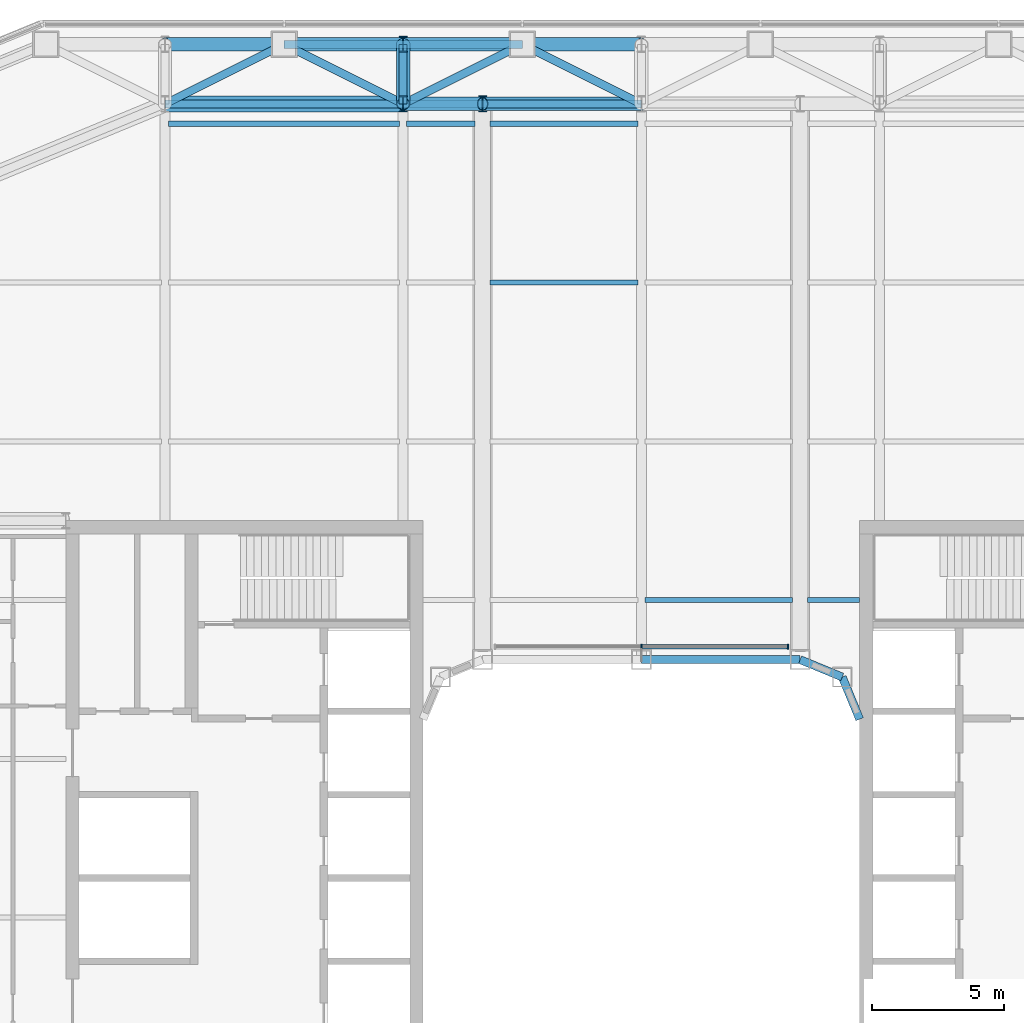
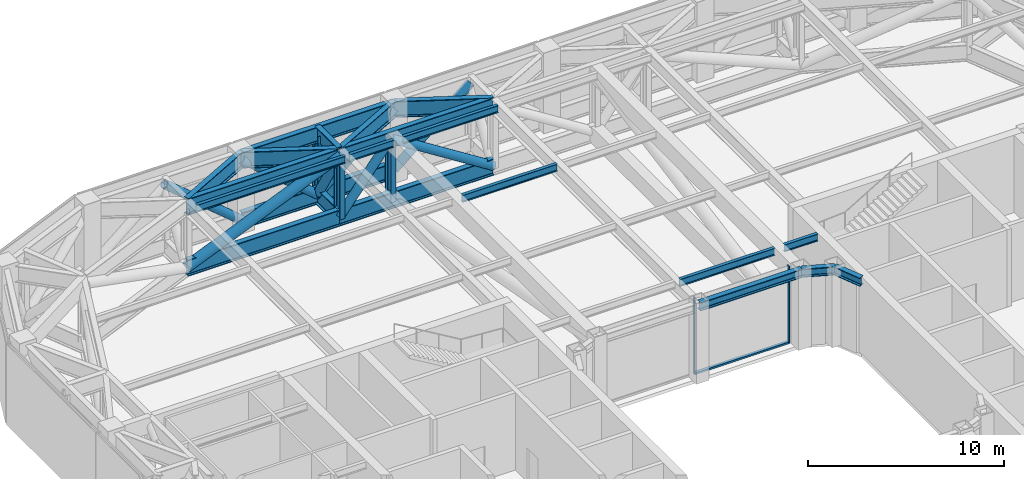
# One storey, part 10 of 33: 21 beams, 14 members, 1 element without a shape of its own.
"""IFC4 building model written with IfcOpenShell, lengths in metres."""

import ifcopenshell
import ifcopenshell.guid

model = None  # the IFC model being written
_history = None  # IfcOwnerHistory: only IFC2X3 demands one
_inside = {}  # id of a spatial element -> (the spatial element, [elements in it])
_under = {}  # id of a project, library or spatial element -> (it, [spatial elements below it])
_declared = {}  # id of a project -> (the project, [libraries it declares])
_typed = {}  # id of a type object -> (the type object, [elements of that type])
_made_of = {}  # id of a material, layer set ... -> (it, [elements and type objects made of it])


def new_model(schema):
    """Start an empty IFC model of exactly this schema.

    Asked for "IFC4X3", IfcOpenShell would pick the latest addendum, in which some entities
    have other attributes; the version numbers below select the first issue.
    IFC2X3 requires an IfcOwnerHistory on every rooted entity: one is made here for all.
    """
    global model, _history
    if schema == "IFC4X3":
        model = ifcopenshell.file(schema_version=(4, 3, 0, 0))
    else:
        model = ifcopenshell.file(schema=schema)
    _inside.clear()
    _under.clear()
    _declared.clear()
    _typed.clear()
    _made_of.clear()
    _history = None
    if model.schema == "IFC2X3":
        org = make("IfcOrganization", Name="unknown")
        user = make(
            "IfcPersonAndOrganization",
            ThePerson=make("IfcPerson", FamilyName="unknown"),
            TheOrganization=org,
        )
        app = make(
            "IfcApplication",
            ApplicationDeveloper=org,
            Version="unknown",
            ApplicationFullName="unknown",
            ApplicationIdentifier="unknown",
        )
        _history = make(
            "IfcOwnerHistory",
            OwningUser=user,
            OwningApplication=app,
            ChangeAction="ADDED",
            CreationDate=0,
        )
    return model


def make(cls, **values):
    """One entity of the class cls with the attributes given. An attribute that is None is left unset."""
    return model.create_entity(
        cls, **{name: value for name, value in values.items() if value is not None}
    )


def rooted(cls, **values):
    """An entity with a GlobalId (a new one), such as an element, a storey or a relation."""
    return make(cls, GlobalId=ifcopenshell.guid.new(), OwnerHistory=_history, **values)


def si_unit(unit_type, name, prefix=None):
    """IfcSIUnit, for example si_unit("LENGTHUNIT", "METRE", prefix="MILLI")."""
    return make("IfcSIUnit", UnitType=unit_type, Prefix=prefix, Name=name)


def assignment(units):
    """IfcUnitAssignment: the units of a project."""
    return None if units is None else make("IfcUnitAssignment", Units=units)


def point(xyz):
    """IfcCartesianPoint."""
    return None if xyz is None else make("IfcCartesianPoint", Coordinates=xyz)


def direction(xyz):
    """IfcDirection."""
    return None if xyz is None else make("IfcDirection", DirectionRatios=xyz)


def frame(location, z_axis=None, x_axis=None):
    """IfcAxis2Placement3D, a coordinate frame: its origin and axes. An axis left out is left unset."""
    return make(
        "IfcAxis2Placement3D",
        Location=point(location),
        Axis=direction(z_axis),
        RefDirection=direction(x_axis),
    )


def frame_2d(location, x_axis=None):
    """IfcAxis2Placement2D, a coordinate frame in the plane: its origin and x axis."""
    return make(
        "IfcAxis2Placement2D", Location=point(location), RefDirection=direction(x_axis)
    )


def origin():
    """The frame at (0, 0, 0) with its axes left unset."""
    return frame((0.0, 0.0, 0.0))


def origin_2d():
    """The frame at (0, 0) in the plane with its x axis left unset."""
    return frame_2d((0.0, 0.0))


def place(relative_to, where):
    """IfcLocalPlacement: puts the frame where relative to a parent placement (None: the world)."""
    return make(
        "IfcLocalPlacement", PlacementRelTo=relative_to, RelativePlacement=where
    )


def context(
    kind, dimensions, precision=None, world=None, true_north=None, identifier=None
):
    """IfcGeometricRepresentationContext, for example the 3D "Model" context."""
    return make(
        "IfcGeometricRepresentationContext",
        ContextIdentifier=identifier,
        ContextType=kind,
        CoordinateSpaceDimension=dimensions,
        Precision=precision,
        WorldCoordinateSystem=world,
        TrueNorth=true_north,
    )


def subcontext(parent, identifier, kind, view, scale=None):
    """IfcGeometricRepresentationSubContext, for example "Body" below "Model"."""
    return make(
        "IfcGeometricRepresentationSubContext",
        ContextIdentifier=identifier,
        ContextType=kind,
        ParentContext=parent,
        TargetScale=scale,
        TargetView=view,
    )


def project(units=None, contexts=None):
    """IfcProject with its units and contexts."""
    return rooted(
        "IfcProject",
        Name="project",
        RepresentationContexts=contexts,
        UnitsInContext=assignment(units),
    )


def spatial(cls, under=None, at=None, **own):
    """A site, building, storey or space (cls), placed at a placement, below another one or the project."""
    s = rooted(cls, ObjectPlacement=at, **own)
    if under is not None:
        _under.setdefault(under.id(), (under, []))[1].append(s)
    return s


def profile(cls, at=None, kind="AREA", **sizes):
    """A parametric profile (cls). Its sizes go by their IFC names, for example OverallWidth=200.0."""
    return make(cls, ProfileType=kind, Position=at, **sizes)


def rectangle(**sizes):
    """IfcRectangleProfileDef."""
    return profile("IfcRectangleProfileDef", **sizes)


def hollow_circle(**sizes):
    """IfcCircleHollowProfileDef."""
    return profile("IfcCircleHollowProfileDef", **sizes)


def i_section(**sizes):
    """IfcIShapeProfileDef."""
    return profile("IfcIShapeProfileDef", **sizes)


def extrude(swept, where, along, depth):
    """IfcExtrudedAreaSolid: the profile swept, set in the frame where, extruded along a direction by depth."""
    return make(
        "IfcExtrudedAreaSolid",
        SweptArea=swept,
        Position=where,
        ExtrudedDirection=direction(along),
        Depth=depth,
    )


def shape(context_of_items, identifier, shape_type, items):
    """IfcShapeRepresentation: the items that make up one representation, for example the "Body"."""
    return make(
        "IfcShapeRepresentation",
        ContextOfItems=context_of_items,
        RepresentationIdentifier=identifier,
        RepresentationType=shape_type,
        Items=items,
    )


def material(Name=None, Category=None):
    """IfcMaterial."""
    return make("IfcMaterial", Name=Name, Category=Category)


def layer(
    of_material, thickness, ventilated=None, Name=None, Category=None, Priority=None
):
    """IfcMaterialLayer: one layer of a wall or slab, of a material (None: an air gap)."""
    return make(
        "IfcMaterialLayer",
        Material=of_material,
        LayerThickness=thickness,
        IsVentilated=ventilated,
        Name=Name,
        Category=Category,
        Priority=Priority,
    )


def layer_set(layers, Name=None):
    """IfcMaterialLayerSet."""
    return make("IfcMaterialLayerSet", MaterialLayers=layers, LayerSetName=Name)


def material_profile(
    of_material, cross_section, Name=None, Category=None, Priority=None
):
    """IfcMaterialProfile: a cross section and its material."""
    return make(
        "IfcMaterialProfile",
        Name=Name,
        Material=of_material,
        Profile=cross_section,
        Priority=Priority,
        Category=Category,
    )


def profile_set(profiles, Name=None, composite=None):
    """IfcMaterialProfileSet."""
    return make(
        "IfcMaterialProfileSet",
        Name=Name,
        MaterialProfiles=profiles,
        CompositeProfile=composite,
    )


def made_of(thing, what):
    """Note that an element or type object is made of a material, layer set ...; save() writes the relation."""
    if what is not None:
        _made_of.setdefault(what.id(), (what, []))[1].append(thing)
    return thing


def type_object(cls, material=None, **own):
    """A type object (cls), such as IfcWallType, which elements share."""
    return made_of(rooted(cls, **own), material)


def element(
    cls,
    number,
    at=None,
    inside=None,
    cuts=None,
    type_object=None,
    material=None,
    context=None,
    identifier="Body",
    shape_type=None,
    held_by="IfcProductDefinitionShape",
    body=None,
    shapes=None,
    **own,
):
    """One element of the class cls, such as IfcWall. Its Tag is "e" and its number.

    at: its placement. inside: the storey or other place that contains it. cuts: it is an
    opening in that element (IfcRelVoidsElement). A single representation is given by context,
    identifier, shape_type and body (its items); several are given by shapes. held_by: the class
    of the entity that holds the representations. save() writes the other relations.
    """
    e = rooted(cls, Tag="e%d" % number, ObjectPlacement=at, **own)
    if body is not None:
        shapes = [shape(context, identifier, shape_type, body)]
    if shapes is not None:
        e.Representation = make(held_by, Representations=shapes)
    if inside is not None:
        _inside.setdefault(inside.id(), (inside, []))[1].append(e)
    if cuts is not None:
        rooted(
            "IfcRelVoidsElement", RelatingBuildingElement=cuts, RelatedOpeningElement=e
        )
    if type_object is not None:
        _typed.setdefault(type_object.id(), (type_object, []))[1].append(e)
    return made_of(e, material)


def aggregate(whole, parts):
    """IfcRelAggregates: a whole, such as a stair, and the parts it consists of."""
    return rooted("IfcRelAggregates", RelatingObject=whole, RelatedObjects=parts)


def save(model, path):
    """Write the relations noted so far, then the file.

    IfcRelAggregates (storeys below a building ...), IfcRelContainedInSpatialStructure (elements
    in a storey), IfcRelDefinesByType, IfcRelAssociatesMaterial and IfcRelDeclares: one each for
    every whole, place, type object, material and project.
    """
    for whole, parts in _under.values():
        aggregate(whole, parts)
    for where, things in _inside.values():
        rooted(
            "IfcRelContainedInSpatialStructure",
            RelatedElements=things,
            RelatingStructure=where,
        )
    for kind, things in _typed.values():
        rooted("IfcRelDefinesByType", RelatedObjects=things, RelatingType=kind)
    for what, things in _made_of.values():
        rooted("IfcRelAssociatesMaterial", RelatedObjects=things, RelatingMaterial=what)
    for by, libraries in _declared.values():
        rooted("IfcRelDeclares", RelatingContext=by, RelatedDefinitions=libraries)
    model.write(path)


model = new_model("IFC4")

# Units and contexts
model_context = context("Model", 3, precision=1e-05, world=origin(), true_north=direction((0.0, 1.0)))
body_context = subcontext(model_context, "Body", "Model", "MODEL_VIEW")
ifc_project = project(units=[si_unit("LENGTHUNIT", "METRE"), si_unit("AREAUNIT", "SQUARE_METRE"), si_unit("VOLUMEUNIT", "CUBIC_METRE"), si_unit("PLANEANGLEUNIT", "RADIAN"), si_unit("MASSUNIT", "GRAM", prefix="KILO")], contexts=[model_context])

# Site, building, storey
site_placement = place(None, origin())
site = spatial("IfcSite", under=ifc_project, at=site_placement, CompositionType="ELEMENT")
building_placement = place(site_placement, origin())
building = spatial("IfcBuilding", under=site, at=building_placement, Name="Siwar Civic Tower", CompositionType="ELEMENT")
storey_placement = place(building_placement, frame((0.0, 0.0, 94.199951171875)))
storey = spatial("IfcBuildingStorey", under=building, at=storey_placement, Name="L20", CompositionType="ELEMENT", Elevation=94.199951171875)

# Curtain wall, members
ifc_material_1 = material(Name="Aluminium and glass", Category="aluminium")
ifc_layer = layer(ifc_material_1, 0.179931640625)
ifc_layer_set = layer_set([ifc_layer], Name="Aluminium and glass")
curtain_wall_type = type_object("IfcCurtainWallType", Name="ENV-CW-W", PredefinedType="NOTDEFINED", material=ifc_layer_set)
curtain_wall_placement = place(storey_placement, origin())
curtain_wall = element("IfcCurtainWall", 1, at=curtain_wall_placement, inside=storey, type_object=curtain_wall_type, Name="Curtain wall W WN-00", PredefinedType="NOTDEFINED")
ifc_material_2 = material(Name="Aluminium 6063-T6", Category="aluminium")
ifc_material_profile_1 = material_profile(ifc_material_2, rectangle(XDim=0.179931640625, YDim=0.06005859375, at=origin_2d()), Name="AL 180x60")
ifc_profile_set_1 = profile_set([ifc_material_profile_1], Name="Aluminium 6063-T6")
member_type_1 = type_object("IfcMemberType", Name="ENV-MULLION-W", PredefinedType="MULLION", material=ifc_profile_set_1)
member_1_placement = place(storey_placement, frame((5.534423828125, 8.735107421875, 0.0), z_axis=(0.0, 0.0, 1.0), x_axis=(0.0, -1.0, 0.0)))
member_1 = element("IfcMember", 2, at=member_1_placement, type_object=member_type_1, Name="Mullion W WN-00 1", PredefinedType="MULLION", context=body_context, shape_type="SweptSolid", body=[
    extrude(rectangle(XDim=0.179931640625, YDim=0.06005859375, at=origin_2d()), origin(), (0.0, 0.0, 1.0), 4.800048828125),
])
member_2_placement = place(storey_placement, frame((0.0, 8.735107421875, 0.0), z_axis=(0.0, 0.0, 1.0), x_axis=(0.0, -1.0, 0.0)))
member_2 = element("IfcMember", 3, at=member_2_placement, type_object=member_type_1, Name="Mullion W WN-00 2", PredefinedType="MULLION", context=body_context, shape_type="SweptSolid", body=[
    extrude(rectangle(XDim=0.179931640625, YDim=0.06005859375, at=origin_2d()), origin(), (0.0, 0.0, 1.0), 4.800048828125),
])
ifc_material_3 = material(Name="Aluminium 6063-T6", Category="aluminium")
ifc_material_profile_2 = material_profile(ifc_material_3, rectangle(XDim=0.179931640625, YDim=0.10009765625, at=origin_2d()), Name="AL 180x100")
ifc_profile_set_2 = profile_set([ifc_material_profile_2], Name="Aluminium 6063-T6")
member_type_2 = type_object("IfcMemberType", Name="ENV-TRANSOM-W", PredefinedType="USERDEFINED", material=ifc_profile_set_2)
member_3_placement = place(storey_placement, frame((5.50439453125, 8.735107421875, 0.050048828125), z_axis=(-1.0, 0.0, 0.0), x_axis=(0.0, -1.0, 0.0)))
member_3 = element("IfcMember", 4, at=member_3_placement, type_object=member_type_2, Name="Transom W WN-00 1", ObjectType="TRANSOM", PredefinedType="USERDEFINED", context=body_context, shape_type="SweptSolid", body=[
    extrude(rectangle(XDim=0.179931640625, YDim=0.10009765625, at=origin_2d()), origin(), (0.0, 0.0, 1.0), 5.474365234375),
])
aggregate(curtain_wall, [member_1, member_2, member_3])

# Beams
ifc_material_4 = material(Name="Steel S460", Category="steel")
ifc_material_profile_3 = material_profile(ifc_material_4, i_section(OverallWidth=0.302001953125, OverallDepth=1.008056640625, WebThickness=0.02099609375, FlangeThickness=0.0400390625, FilletRadius=0.030029296875, at=origin_2d()), Name="HEM1000")
ifc_profile_set_3 = profile_set([ifc_material_profile_3], Name="Steel S460")
beam_type_1 = type_object("IfcBeamType", Name="STR-BELT-TRUSS-CHORD-HEM1000", PredefinedType="BEAM", material=ifc_profile_set_3)
for number, where, z_axis, x_axis, name in (
    (5, (0.0, 29.25, 0.504150390625), (-1.0, 0.0, 0.0), (0.0, -1.0, 0.0), "Belt truss chord"),
    (6, (0.0, 29.25, 4.296142578125), (-1.0, 0.0, 0.0), (0.0, -1.0, 0.0), "Belt truss chord"),
    (7, (-9.0, 29.25, 0.504150390625), (-1.0, 0.0, 0.0), (0.0, -1.0, 0.0), "Belt truss chord"),
    (8, (-9.0, 29.25, 4.296142578125), (-1.0, 0.0, 0.0), (0.0, -1.0, 0.0), "Belt truss chord"),
    (9, (-4.5, 31.5, 0.504150390625), (-1.0, 0.0, 0.0), (0.0, -1.0, 0.0), "Belt truss chord"),
    (10, (-4.5, 31.5, 4.296142578125), (-1.0, 0.0, 0.0), (0.0, -1.0, 0.0), "Belt truss chord"),
):
    element("IfcBeam", number, at=place(storey_placement, frame(where, z_axis=z_axis, x_axis=x_axis)), inside=storey, type_object=beam_type_1, Name=name, PredefinedType="BEAM", context=body_context, shape_type="SweptSolid", body=[
        extrude(i_section(OverallWidth=0.302001953125, OverallDepth=1.008056640625, WebThickness=0.02099609375, FlangeThickness=0.0400390625, FilletRadius=0.030029296875, at=origin_2d()), origin(), (0.0, 0.0, 1.0), 9.0),
    ])

# Members
ifc_material_5 = material(Name="Steel S355", Category="steel")
ifc_material_profile_4 = material_profile(ifc_material_5, hollow_circle(Radius=0.25390625, WallThickness=0.02490234375, at=origin_2d()), Name="CHS508x25")
ifc_profile_set_4 = profile_set([ifc_material_profile_4], Name="Steel S355")
member_type_3 = type_object("IfcMemberType", Name="STR-BELT-TRUSS-DIAGONAL-CHS508x25", PredefinedType="BRACE", material=ifc_profile_set_4)
member_4_placement = place(storey_placement, frame((0.004150390625, 29.25, 0.50146484375), z_axis=(-0.845320722688, 0.0, 0.534259184099), x_axis=(0.0, -1.0, 0.0)))
element("IfcMember", 11, at=member_4_placement, inside=storey, type_object=member_type_3, Name="Belt truss diagonal", PredefinedType="BRACE", context=body_context, shape_type="SweptSolid", body=[
    extrude(hollow_circle(Radius=0.25390625, WallThickness=0.02490234375, at=origin_2d()), origin(), (0.0, 0.0, 1.0), 7.107666015625),
])
member_5_placement = place(storey_placement, frame((-9.003173828125, 29.25, 0.500244140625), z_axis=(0.620470608021, 0.0, 0.784229701416), x_axis=(0.0, 1.0, 0.0)))
element("IfcMember", 12, at=member_5_placement, inside=storey, type_object=member_type_3, Name="Belt truss diagonal", PredefinedType="BRACE", context=body_context, shape_type="SweptSolid", body=[
    extrude(hollow_circle(Radius=0.25390625, WallThickness=0.02490234375, at=origin_2d()), origin(), (0.0, 0.0, 1.0), 4.84521484375),
])
for number, where, z_axis, x_axis, name in (
    (13, (-4.50390625, 31.5, 0.500732421875), (0.764699580999, 0.0, 0.644386957364), (0.0, 1.0, 0.0), "Belt truss diagonal"),
    (14, (-9.00390625, 31.5, 0.500732421875), (0.764699580999, 0.0, 0.644386957364), (0.0, 1.0, 0.0), "Belt truss diagonal"),
    (15, (-8.99609375, 31.5, 0.500732421875), (-0.764699580999, 0.0, 0.644386957364), (0.0, -1.0, 0.0), "Belt truss diagonal"),
    (16, (-13.49609375, 31.5, 0.500732421875), (-0.764699580999, 0.0, 0.644386957364), (0.0, -1.0, 0.0), "Belt truss diagonal"),
):
    element("IfcMember", number, at=place(storey_placement, frame(where, z_axis=z_axis, x_axis=x_axis)), inside=storey, type_object=member_type_3, Name=name, PredefinedType="BRACE", context=body_context, shape_type="SweptSolid", body=[
        extrude(hollow_circle(Radius=0.25390625, WallThickness=0.02490234375, at=origin_2d()), origin(), (0.0, 0.0, 1.0), 5.894775390625),
    ])
member_6_placement = place(storey_placement, frame((-9.0, 31.50244140625, 0.499755859375), z_axis=(0.0, -0.510256630496, 0.860022192176), x_axis=(1.0, 0.0, 0.0)))
element("IfcMember", 17, at=member_6_placement, inside=storey, type_object=member_type_3, Name="Belt truss diagonal", PredefinedType="BRACE", context=body_context, shape_type="SweptSolid", body=[
    extrude(hollow_circle(Radius=0.25390625, WallThickness=0.02490234375, at=origin_2d()), origin(), (0.0, 0.0, 1.0), 4.419189453125),
])
ifc_material_6 = material(Name="Steel S355", Category="steel")
ifc_material_profile_5 = material_profile(ifc_material_6, hollow_circle(Radius=0.304931640625, WallThickness=0.030029296875, at=origin_2d()), Name="CHS610x30")
ifc_profile_set_5 = profile_set([ifc_material_profile_5], Name="Steel S355")
member_type_4 = type_object("IfcMemberType", Name="STR-BELT-TRUSS-DIAGONAL-CHS610x30", PredefinedType="BRACE", material=ifc_profile_set_5)
member_7_placement = place(storey_placement, frame((-18.004638671875, 29.25, 0.502197265625), z_axis=(0.921543214524, 0.0, 0.388275808884), x_axis=(0.0, 1.0, 0.0)))
element("IfcMember", 18, at=member_7_placement, inside=storey, type_object=member_type_4, Name="Belt truss diagonal", PredefinedType="BRACE", context=body_context, shape_type="SweptSolid", body=[
    extrude(hollow_circle(Radius=0.304931640625, WallThickness=0.030029296875, at=origin_2d()), origin(), (0.0, 0.0, 1.0), 9.7763671875),
])

# Beams
ifc_material_7 = material(Name="Steel S460", Category="steel")
ifc_material_profile_6 = material_profile(ifc_material_7, i_section(OverallWidth=0.302001953125, OverallDepth=1.008056640625, WebThickness=0.02099609375, FlangeThickness=0.0400390625, FilletRadius=0.030029296875, at=origin_2d()), Name="HEM1000")
ifc_profile_set_6 = profile_set([ifc_material_profile_6], Name="Steel S460")
beam_type_2 = type_object("IfcBeamType", Name="STR-BELT-TRUSS-LADDER-CHORD-HEM1000", PredefinedType="BEAM", material=ifc_profile_set_6)
for number, where, z_axis, x_axis, name in (
    (19, (-9.0, 29.25, 0.504150390625), (0.0, 1.0, 0.0), (-1.0, 0.0, 0.0), "Belt truss ladder chord"),
    (20, (-9.0, 29.25, 4.296142578125), (0.0, 1.0, 0.0), (-1.0, 0.0, 0.0), "Belt truss ladder chord"),
):
    element("IfcBeam", number, at=place(storey_placement, frame(where, z_axis=z_axis, x_axis=x_axis)), inside=storey, type_object=beam_type_2, Name=name, PredefinedType="BEAM", context=body_context, shape_type="SweptSolid", body=[
        extrude(i_section(OverallWidth=0.302001953125, OverallDepth=1.008056640625, WebThickness=0.02099609375, FlangeThickness=0.0400390625, FilletRadius=0.030029296875, at=origin_2d()), origin(), (0.0, 0.0, 1.0), 2.25),
    ])

# Members
ifc_material_8 = material(Name="Steel S355", Category="steel")
ifc_material_profile_7 = material_profile(ifc_material_8, i_section(OverallWidth=0.300048828125, OverallDepth=0.60009765625, WebThickness=0.015380859375, FlangeThickness=0.030029296875, FilletRadius=0.027099609375, at=origin_2d()), Name="HEB600")
ifc_profile_set_7 = profile_set([ifc_material_profile_7], Name="Steel S355")
member_type_5 = type_object("IfcMemberType", Name="STR-BELT-TRUSS-POST-HEB600", PredefinedType="POST", material=ifc_profile_set_7)
for number, where, z_axis, x_axis, name in (
    (21, (-9.0, 29.25, 0.504150390625), (0.0, 0.0, 1.0), (1.0, 0.0, 0.0), "Belt truss post"),
    (22, (-9.0, 31.5, 0.504150390625), (0.0, 0.0, 1.0), (1.0, 0.0, 0.0), "Belt truss post"),
    (23, (-6.0, 29.25, 0.504150390625), (0.0, 0.0, 1.0), (1.0, 0.0, 0.0), "Belt truss post"),
):
    element("IfcMember", number, at=place(storey_placement, frame(where, z_axis=z_axis, x_axis=x_axis)), inside=storey, type_object=member_type_5, Name=name, PredefinedType="POST", context=body_context, shape_type="SweptSolid", body=[
        extrude(i_section(OverallWidth=0.300048828125, OverallDepth=0.60009765625, WebThickness=0.015380859375, FlangeThickness=0.030029296875, FilletRadius=0.027099609375, at=origin_2d()), origin(), (0.0, 0.0, 1.0), 3.7919921875),
    ])

# Beams
ifc_material_9 = material(Name="Steel S355", Category="steel")
ifc_material_profile_8 = material_profile(ifc_material_9, i_section(OverallWidth=0.18994140625, OverallDepth=0.449951171875, WebThickness=0.009521484375, FlangeThickness=0.0146484375, FilletRadius=0.02099609375, at=origin_2d()), Name="IPE450")
ifc_profile_set_8 = profile_set([ifc_material_profile_8], Name="Steel S355")
beam_type_3 = type_object("IfcBeamType", Name="STR-FB-IPE450", PredefinedType="JOIST", material=ifc_profile_set_8)
beam_1_placement = place(storey_placement, frame((0.1298828125, 10.5, 4.574951171875), z_axis=(1.0, 0.0, 0.0), x_axis=(0.0, 1.0, 0.0)))
element("IfcBeam", 24, at=beam_1_placement, inside=storey, type_object=beam_type_3, Name="L20/bm/F034", PredefinedType="JOIST", context=body_context, shape_type="SweptSolid", body=[
    extrude(i_section(OverallWidth=0.18994140625, OverallDepth=0.449951171875, WebThickness=0.009521484375, FlangeThickness=0.0146484375, FilletRadius=0.02099609375, at=origin_2d()), origin(), (0.0, 0.0, 1.0), 5.590087890625),
])
beam_2_placement = place(storey_placement, frame((6.280029296875, 10.5, 4.574951171875), z_axis=(1.0, 0.0, 0.0), x_axis=(0.0, 1.0, 0.0)))
element("IfcBeam", 25, at=beam_2_placement, inside=storey, type_object=beam_type_3, Name="L20/bm/F035", PredefinedType="JOIST", context=body_context, shape_type="SweptSolid", body=[
    extrude(i_section(OverallWidth=0.18994140625, OverallDepth=0.449951171875, WebThickness=0.009521484375, FlangeThickness=0.0146484375, FilletRadius=0.02099609375, at=origin_2d()), origin(), (0.0, 0.0, 1.0), 1.969970703125),
])
beam_3_placement = place(storey_placement, frame((-5.719970703125, 22.5, 4.574951171875), z_axis=(1.0, 0.0, 0.0), x_axis=(0.0, 1.0, 0.0)))
element("IfcBeam", 26, at=beam_3_placement, inside=storey, type_object=beam_type_3, Name="L20/bm/F048", PredefinedType="JOIST", context=body_context, shape_type="SweptSolid", body=[
    extrude(i_section(OverallWidth=0.18994140625, OverallDepth=0.449951171875, WebThickness=0.009521484375, FlangeThickness=0.0146484375, FilletRadius=0.02099609375, at=origin_2d()), origin(), (0.0, 0.0, 1.0), 5.590087890625),
])
beam_4_placement = place(storey_placement, frame((-17.8701171875, 28.5, 4.574951171875), z_axis=(1.0, 0.0, 0.0), x_axis=(0.0, 1.0, 0.0)))
element("IfcBeam", 27, at=beam_4_placement, inside=storey, type_object=beam_type_3, Name="L20/bm/F053", PredefinedType="JOIST", context=body_context, shape_type="SweptSolid", body=[
    extrude(i_section(OverallWidth=0.18994140625, OverallDepth=0.449951171875, WebThickness=0.009521484375, FlangeThickness=0.0146484375, FilletRadius=0.02099609375, at=origin_2d()), origin(), (0.0, 0.0, 1.0), 8.740234375),
])
beam_5_placement = place(storey_placement, frame((-8.8701171875, 28.5, 4.574951171875), z_axis=(1.0, 0.0, 0.0), x_axis=(0.0, 1.0, 0.0)))
element("IfcBeam", 28, at=beam_5_placement, inside=storey, type_object=beam_type_3, Name="L20/bm/F054", PredefinedType="JOIST", context=body_context, shape_type="SweptSolid", body=[
    extrude(i_section(OverallWidth=0.18994140625, OverallDepth=0.449951171875, WebThickness=0.009521484375, FlangeThickness=0.0146484375, FilletRadius=0.02099609375, at=origin_2d()), origin(), (0.0, 0.0, 1.0), 2.590087890625),
])
beam_6_placement = place(storey_placement, frame((-5.719970703125, 28.5, 4.574951171875), z_axis=(1.0, 0.0, 0.0), x_axis=(0.0, 1.0, 0.0)))
element("IfcBeam", 29, at=beam_6_placement, inside=storey, type_object=beam_type_3, Name="L20/bm/F055", PredefinedType="JOIST", context=body_context, shape_type="SweptSolid", body=[
    extrude(i_section(OverallWidth=0.18994140625, OverallDepth=0.449951171875, WebThickness=0.009521484375, FlangeThickness=0.0146484375, FilletRadius=0.02099609375, at=origin_2d()), origin(), (0.0, 0.0, 1.0), 5.590087890625),
])
ifc_material_10 = material(Name="Steel S355", Category="steel")
ifc_material_profile_9 = material_profile(ifc_material_10, i_section(OverallWidth=0.305908203125, OverallDepth=0.52392578125, WebThickness=0.02099609375, FlangeThickness=0.0400390625, FilletRadius=0.027099609375, at=origin_2d()), Name="HEM500")
ifc_profile_set_9 = profile_set([ifc_material_profile_9], Name="Steel S355")
beam_type_4 = type_object("IfcBeamType", Name="STR-RB-HEM500", PredefinedType="BEAM", material=ifc_profile_set_9)
beam_7_placement = place(storey_placement, frame((0.0, 8.25, 4.5380859375), z_axis=(1.0, 0.0, 0.0), x_axis=(0.0, 1.0, 0.0)))
element("IfcBeam", 30, at=beam_7_placement, inside=storey, type_object=beam_type_4, Name="L20/bm/RN2", PredefinedType="BEAM", context=body_context, shape_type="SweptSolid", body=[
    extrude(i_section(OverallWidth=0.305908203125, OverallDepth=0.52392578125, WebThickness=0.02099609375, FlangeThickness=0.0400390625, FilletRadius=0.027099609375, at=origin_2d()), origin(), (0.0, 0.0, 1.0), 6.0),
])
for number, where, z_axis, x_axis, name in (
    (31, (6.0, 8.25, 4.5380859375), (0.923901072997, -0.382631424892, 0.0), (0.382631424892, 0.923901072997, 0.0), "L20/bm/RN3"),
    (32, (7.591064453125, 7.591064453125, 4.5380859375), (0.382631424892, -0.923901072997, 0.0), (0.923901072997, 0.382631424892, 0.0), "L20/bm/RNEE"),
):
    element("IfcBeam", number, at=place(storey_placement, frame(where, z_axis=z_axis, x_axis=x_axis)), inside=storey, type_object=beam_type_4, Name=name, PredefinedType="BEAM", context=body_context, shape_type="SweptSolid", body=[
        extrude(i_section(OverallWidth=0.305908203125, OverallDepth=0.52392578125, WebThickness=0.02099609375, FlangeThickness=0.0400390625, FilletRadius=0.027099609375, at=origin_2d()), origin(), (0.0, 0.0, 1.0), 1.72216796875),
    ])
ifc_material_11 = material(Name="Steel S460", Category="steel")
ifc_material_profile_10 = material_profile(ifc_material_11, i_section(OverallWidth=0.302001953125, OverallDepth=1.008056640625, WebThickness=0.02099609375, FlangeThickness=0.0400390625, FilletRadius=0.030029296875, at=origin_2d()), Name="HEM1000")
ifc_profile_set_10 = profile_set([ifc_material_profile_10], Name="Steel S460")
beam_type_5 = type_object("IfcBeamType", Name="STR-TRANSFER-GIRDER-HEM1000", PredefinedType="BEAM", material=ifc_profile_set_10)
for number, where, z_axis, x_axis, name in (
    (33, (0.0, 29.25, 4.296142578125), (-0.894427191, 0.4472135955, 0.0), (-0.4472135955, -0.894427191, 0.0), "Transfer girder"),
    (34, (-9.0, 29.25, 4.296142578125), (-0.894427191, 0.4472135955, 0.0), (-0.4472135955, -0.894427191, 0.0), "Transfer girder"),
    (35, (-9.0, 29.25, 4.296142578125), (0.894427191, 0.4472135955, 0.0), (-0.4472135955, 0.894427191, 0.0), "Transfer girder"),
    (36, (-18.0, 29.25, 4.296142578125), (0.894427191, 0.4472135955, 0.0), (-0.4472135955, 0.894427191, 0.0), "Transfer girder"),
):
    element("IfcBeam", number, at=place(storey_placement, frame(where, z_axis=z_axis, x_axis=x_axis)), inside=storey, type_object=beam_type_5, Name=name, PredefinedType="BEAM", context=body_context, shape_type="SweptSolid", body=[
        extrude(i_section(OverallWidth=0.302001953125, OverallDepth=1.008056640625, WebThickness=0.02099609375, FlangeThickness=0.0400390625, FilletRadius=0.030029296875, at=origin_2d()), origin(), (0.0, 0.0, 1.0), 5.03125),
    ])

save(model, "model.ifc")
